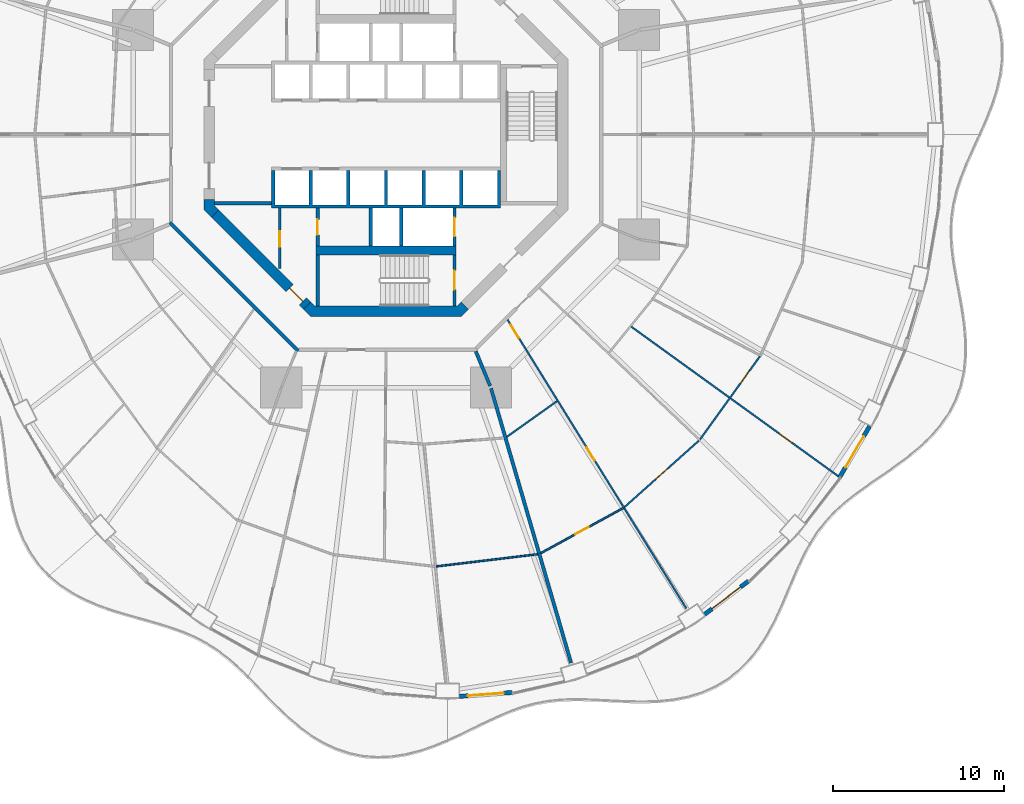
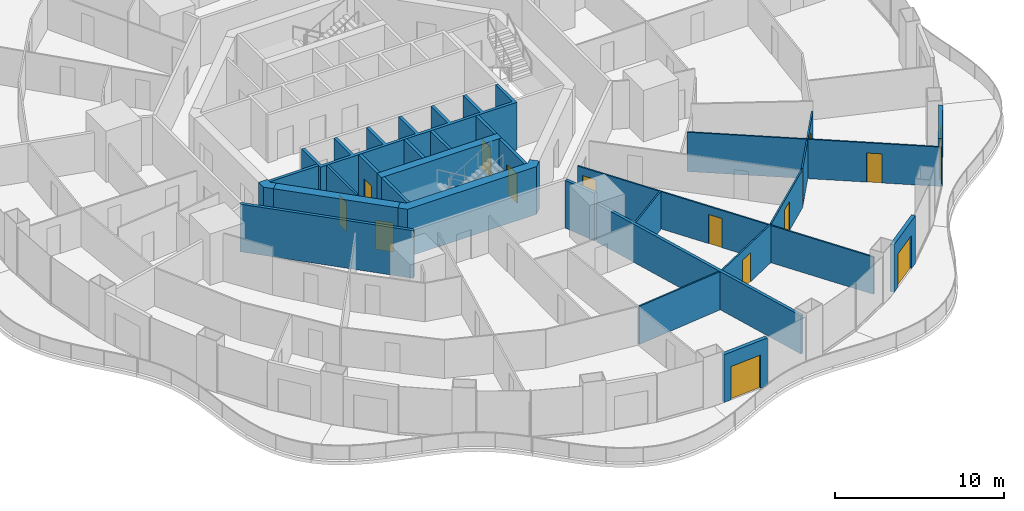
# One storey, part 15 of 22: 26 walls, 14 doors, 14 openings.
"""IFC4 building model written with IfcOpenShell, lengths in metres."""

from ifc_helpers import new_model, si_unit, direction, frame, frame_2d, origin, place, context, subcontext, project, spatial, polyline, rectangle, outline, extrude, material, layer, layer_set, type_object, element, fill, save


model = new_model("IFC4")

# Units and contexts
model_context = context("Model", 3, precision=1e-05, world=origin(), true_north=direction((0.0, 1.0)))
body_context = subcontext(model_context, "Body", "Model", "MODEL_VIEW")
ifc_project = project(units=[si_unit("LENGTHUNIT", "METRE"), si_unit("AREAUNIT", "SQUARE_METRE"), si_unit("VOLUMEUNIT", "CUBIC_METRE"), si_unit("PLANEANGLEUNIT", "RADIAN"), si_unit("MASSUNIT", "GRAM", prefix="KILO")], contexts=[model_context])

# Site, building, storey
site_placement = place(None, origin())
site = spatial("IfcSite", under=ifc_project, at=site_placement, CompositionType="ELEMENT")
building_placement = place(site_placement, origin())
building = spatial("IfcBuilding", under=site, at=building_placement, Name="Nagisa Residences", CompositionType="ELEMENT")
storey_placement = place(building_placement, frame((0.0, 0.0, 49.199951171875)))
storey = spatial("IfcBuildingStorey", under=building, at=storey_placement, Name="L11", CompositionType="ELEMENT", Elevation=49.199951171875)

# Walls
ifc_material_1 = material(Name="Gypsum board on steel studs", Category="steel")
ifc_layer_1 = layer(ifc_material_1, 0.199951171875)
ifc_layer_set_1 = layer_set([ifc_layer_1], Name="Apartment compartment wall EI60 200")
wall_type_1 = type_object("IfcWallType", Name="Apartment compartment wall EI60 200", PredefinedType="PARTITIONING", material=ifc_layer_set_1)
wall_1_placement = place(storey_placement, frame((5.24267578125, -12.6572265625, 0.0), z_axis=(0.0, 0.0, 1.0), x_axis=(0.382707856524, -0.923869415315, 0.0)))
element("IfcWall", 1, at=wall_1_placement, inside=storey, type_object=wall_type_1, Name="wall:L11:u08", PredefinedType="PARTITIONING", context=body_context, shape_type="SweptSolid", body=[
    extrude(rectangle(XDim=2.2001953125, YDim=0.199951171875, at=frame_2d((1.10009765625, 0.0))), origin(), (0.0, 0.0, 1.0), 3.43994140625),
])
wall_2_placement = place(storey_placement, frame((6.136962890625, -14.830078125, 0.0), z_axis=(0.0, 0.0, 1.0), x_axis=(0.27985745069, -0.960041565399, 0.0)))
element("IfcWall", 2, at=wall_2_placement, inside=storey, type_object=wall_type_1, Name="wall:L11:u09", PredefinedType="PARTITIONING", context=body_context, shape_type="SweptSolid", body=[
    extrude(rectangle(XDim=16.705078125, YDim=0.199951171875, at=frame_2d((8.3525390625, 0.0))), origin(), (0.0, 0.0, 1.0), 2.756103515625),
])
ifc_material_2 = material(Name="Gypsum board on steel studs", Category="steel")
ifc_layer_2 = layer(ifc_material_2, 0.199951171875)
ifc_layer_set_2 = layer_set([ifc_layer_2], Name="Apartment entry wall EI60 200")
wall_type_2 = type_object("IfcWallType", Name="Apartment entry wall EI60 200", PredefinedType="PARTITIONING", material=ifc_layer_set_2)
wall_3_placement = place(storey_placement, frame((-12.635498046875, -5.1337890625, 0.0), z_axis=(0.0, 0.0, 1.0), x_axis=(0.707106781187, -0.707106781187, 0.0)))
element("IfcWall", 3, at=wall_3_placement, inside=storey, type_object=wall_type_2, Name="wall:L11:u15", PredefinedType="PARTITIONING", context=body_context, shape_type="SweptSolid", body=[
    extrude(rectangle(XDim=10.609130859375, YDim=0.199951171875, at=frame_2d((5.3046875, 0.0))), origin(), (0.0, 0.0, 1.0), 3.43994140625),
])
ifc_material_3 = material(Name="Gypsum board on steel studs", Category="steel")
ifc_layer_3 = layer(ifc_material_3, 0.10009765625)
ifc_layer_set_3 = layer_set([ifc_layer_3], Name="Apartment partition 100")
wall_type_3 = type_object("IfcWallType", Name="Apartment partition 100", PredefinedType="PARTITIONING", material=ifc_layer_set_3)
wall_4_placement = place(storey_placement, frame((2.94091796875, -25.228515625, 0.0), z_axis=(0.0, 0.0, 1.0), x_axis=(0.992834127896, 0.119500604542, 0.0)))
element("IfcWall", 4, at=wall_4_placement, inside=storey, type_object=wall_type_3, Name="wall:L11:u78", PredefinedType="PARTITIONING", context=body_context, shape_type="SweptSolid", body=[
    extrude(rectangle(XDim=5.95947265625, YDim=0.10009765625, at=frame_2d((2.979736328125, 0.0))), origin(), (0.0, 0.0, 1.0), 2.756103515625),
])
wall_5_placement = place(storey_placement, frame((7.0595703125, -17.657470703125, 0.0), z_axis=(0.0, 0.0, 1.0), x_axis=(0.81492039338, 0.57957290521, 0.0)))
element("IfcWall", 5, at=wall_5_placement, inside=storey, type_object=wall_type_3, Name="wall:L11:u79", PredefinedType="PARTITIONING", context=body_context, shape_type="SweptSolid", body=[
    extrude(rectangle(XDim=3.594482421875, YDim=0.10009765625, at=frame_2d((1.79736328125, 0.0))), origin(), (0.0, 0.0, 1.0), 2.756103515625),
])

# Wall, opening, door
wall_6_placement = place(storey_placement, frame((9.044677734375, -24.456298828125, 0.0), z_axis=(0.0, 0.0, 1.0), x_axis=(0.876809987787, 0.480837025734, 0.0)))
wall_6 = element("IfcWall", 6, at=wall_6_placement, inside=storey, type_object=wall_type_3, Name="wall:L11:u80", PredefinedType="PARTITIONING", context=body_context, shape_type="SweptSolid", body=[
    extrude(rectangle(XDim=5.486083984375, YDim=0.10009765625, at=frame_2d((2.7431640625, 0.0))), origin(), (0.0, 0.0, 1.0), 2.756103515625),
])
opening_1_placement = place(wall_6_placement, frame((2.293212890625, 0.0, 0.0)))
opening_1 = element("IfcOpeningElement", 7, at=opening_1_placement, cuts=wall_6, Name="Opening L11-U37", PredefinedType="OPENING", context=body_context, shape_type="SweptSolid", body=[
    extrude(rectangle(XDim=0.89990234375, YDim=2.10009765625, at=frame_2d((0.449951171875, 1.050048828125))), frame((0.0, 0.06005859375, 0.0), z_axis=(0.0, -1.0, 0.0), x_axis=(1.0, 0.0, 0.0)), (0.0, 0.0, 1.0), 0.1201171875),
])
ifc_material_4 = material(Name="Timber door set", Category="wood")
door_type_1 = type_object("IfcDoorType", Name="Apartment door 900x2100", OperationType="NOTDEFINED", PredefinedType="DOOR", material=ifc_material_4)
door_1_placement = place(opening_1_placement, frame((0.89990234375, 0.0, 0.0), x_axis=(-1.0, 0.0, 0.0)))
door_1 = element("IfcDoor", 8, at=door_1_placement, inside=storey, type_object=door_type_1, Name="Door to master bedroom, Apartment 11D", OperationType="SINGLE_SWING_RIGHT", OverallHeight=2.10009765625, OverallWidth=0.89990234375, PredefinedType="DOOR", context=body_context, shape_type="SweptSolid", body=[
    extrude(rectangle(XDim=0.89990234375, YDim=2.10009765625, at=frame_2d((0.449951171875, 1.050048828125))), frame((0.0, 0.02490234375, 0.0), z_axis=(0.0, -1.0, 0.0), x_axis=(1.0, 0.0, 0.0)), (0.0, 0.0, 1.0), 0.050048828125),
])
fill(opening_1, door_1)

# Wall, openings, doors
wall_7_placement = place(storey_placement, frame((7.09716796875, -10.809814453125, 0.0), z_axis=(0.0, 0.0, 1.0), x_axis=(0.526453266471, -0.850204068576, 0.0)))
wall_7 = element("IfcWall", 9, at=wall_7_placement, inside=storey, type_object=wall_type_3, Name="wall:L11:u81", PredefinedType="PARTITIONING", context=body_context, shape_type="SweptSolid", body=[
    extrude(rectangle(XDim=19.85009765625, YDim=0.10009765625, at=frame_2d((9.925048828125, 0.0))), origin(), (0.0, 0.0, 1.0), 2.68701171875),
])
opening_2_placement = place(wall_7_placement, frame((0.35009765625, 0.0, 0.0)))
opening_2 = element("IfcOpeningElement", 10, at=opening_2_placement, cuts=wall_7, Name="Opening L11-U29", PredefinedType="OPENING", context=body_context, shape_type="SweptSolid", body=[
    extrude(rectangle(XDim=0.89990234375, YDim=2.10009765625, at=frame_2d((0.449951171875, 1.050048828125))), frame((0.0, 0.06005859375, 0.0), z_axis=(0.0, -1.0, 0.0), x_axis=(1.0, 0.0, 0.0)), (0.0, 0.0, 1.0), 0.1201171875),
])
opening_3_placement = place(wall_7_placement, frame((8.794921875, 0.0, 0.0)))
opening_3 = element("IfcOpeningElement", 11, at=opening_3_placement, cuts=wall_7, Name="Opening L11-U33", PredefinedType="OPENING", context=body_context, shape_type="SweptSolid", body=[
    extrude(rectangle(XDim=0.89990234375, YDim=2.10009765625, at=frame_2d((0.449951171875, 1.050048828125))), frame((0.0, 0.06005859375, 0.0), z_axis=(0.0, -1.0, 0.0), x_axis=(1.0, 0.0, 0.0)), (0.0, 0.0, 1.0), 0.1201171875),
])
door_2_placement = place(opening_2_placement, frame((0.89990234375, 0.0, 0.0), x_axis=(-1.0, 0.0, 0.0)))
door_2 = element("IfcDoor", 12, at=door_2_placement, inside=storey, type_object=door_type_1, Name="Door to laundry, Apartment 11D", OperationType="SINGLE_SWING_RIGHT", OverallHeight=2.10009765625, OverallWidth=0.89990234375, PredefinedType="DOOR", context=body_context, shape_type="SweptSolid", body=[
    extrude(rectangle(XDim=0.89990234375, YDim=2.10009765625, at=frame_2d((0.449951171875, 1.050048828125))), frame((0.0, 0.02490234375, 0.0), z_axis=(0.0, -1.0, 0.0), x_axis=(1.0, 0.0, 0.0)), (0.0, 0.0, 1.0), 0.050048828125),
])
fill(opening_2, door_2)
door_3_placement = place(opening_3_placement, frame((0.89990234375, 0.0, 0.0), x_axis=(-1.0, 0.0, 0.0)))
door_3 = element("IfcDoor", 13, at=door_3_placement, inside=storey, type_object=door_type_1, Name="Door to kitchen, Apartment 11D", OperationType="SINGLE_SWING_RIGHT", OverallHeight=2.10009765625, OverallWidth=0.89990234375, PredefinedType="DOOR", context=body_context, shape_type="SweptSolid", body=[
    extrude(rectangle(XDim=0.89990234375, YDim=2.10009765625, at=frame_2d((0.449951171875, 1.050048828125))), frame((0.0, 0.02490234375, 0.0), z_axis=(0.0, -1.0, 0.0), x_axis=(1.0, 0.0, 0.0)), (0.0, 0.0, 1.0), 0.050048828125),
])
fill(opening_3, door_3)

# Wall, opening, door
wall_8_placement = place(storey_placement, frame((13.936279296875, -21.760986328125, 0.0), z_axis=(0.0, 0.0, 1.0), x_axis=(0.745806142791, 0.666163041136, 0.0)))
wall_8 = element("IfcWall", 14, at=wall_8_placement, inside=storey, type_object=wall_type_3, Name="wall:L11:u82", PredefinedType="PARTITIONING", context=body_context, shape_type="SweptSolid", body=[
    extrude(rectangle(XDim=5.83056640625, YDim=0.10009765625, at=frame_2d((2.915283203125, 0.0))), origin(), (0.0, 0.0, 1.0), 2.756103515625),
])
opening_4_placement = place(wall_8_placement, frame((2.46533203125, 0.0, 0.0)))
opening_4 = element("IfcOpeningElement", 15, at=opening_4_placement, cuts=wall_8, Name="Opening L11-U38", PredefinedType="OPENING", context=body_context, shape_type="SweptSolid", body=[
    extrude(rectangle(XDim=0.89990234375, YDim=2.10009765625, at=frame_2d((0.449951171875, 1.050048828125))), frame((0.0, 0.06005859375, 0.0), z_axis=(0.0, -1.0, 0.0), x_axis=(1.0, 0.0, 0.0)), (0.0, 0.0, 1.0), 0.1201171875),
])
door_4_placement = place(opening_4_placement, frame((0.89990234375, 0.0, 0.0), x_axis=(-1.0, 0.0, 0.0)))
door_4 = element("IfcDoor", 16, at=door_4_placement, inside=storey, type_object=door_type_1, Name="Door to living room, Apartment 11D", OperationType="SINGLE_SWING_LEFT", OverallHeight=2.10009765625, OverallWidth=0.89990234375, PredefinedType="DOOR", context=body_context, shape_type="SweptSolid", body=[
    extrude(rectangle(XDim=0.89990234375, YDim=2.10009765625, at=frame_2d((0.449951171875, 1.050048828125))), frame((0.0, 0.02490234375, 0.0), z_axis=(0.0, -1.0, 0.0), x_axis=(1.0, 0.0, 0.0)), (0.0, 0.0, 1.0), 0.050048828125),
])
fill(opening_4, door_4)

wall_9_placement = place(storey_placement, frame((18.35107421875, -17.802978515625, 0.0), z_axis=(0.0, 0.0, 1.0), x_axis=(0.584563700282, 0.811347817099, 0.0)))
wall_9 = element("IfcWall", 17, at=wall_9_placement, inside=storey, type_object=wall_type_3, Name="wall:L11:u85", PredefinedType="PARTITIONING", context=body_context, shape_type="SweptSolid", body=[
    extrude(rectangle(XDim=5.984375, YDim=0.10009765625, at=frame_2d((2.9921875, 0.0))), origin(), (0.0, 0.0, 1.0), 2.756103515625),
])
opening_5_placement = place(wall_9_placement, frame((4.038330078125, 0.0, 0.0)))
opening_5 = element("IfcOpeningElement", 18, at=opening_5_placement, cuts=wall_9, Name="Opening L11-U42", PredefinedType="OPENING", context=body_context, shape_type="SweptSolid", body=[
    extrude(rectangle(XDim=0.89990234375, YDim=2.10009765625, at=frame_2d((0.449951171875, 1.050048828125))), frame((0.0, 0.06005859375, 0.0), z_axis=(0.0, -1.0, 0.0), x_axis=(1.0, 0.0, 0.0)), (0.0, 0.0, 1.0), 0.1201171875),
])
door_5_placement = place(opening_5_placement, origin())
door_5 = element("IfcDoor", 19, at=door_5_placement, inside=storey, type_object=door_type_1, Name="Door to en-suite bathroom, Apartment 11D", OperationType="SINGLE_SWING_RIGHT", OverallHeight=2.10009765625, OverallWidth=0.89990234375, PredefinedType="DOOR", context=body_context, shape_type="SweptSolid", body=[
    extrude(rectangle(XDim=0.89990234375, YDim=2.10009765625, at=frame_2d((0.449951171875, 1.050048828125))), frame((0.0, 0.02490234375, 0.0), z_axis=(0.0, -1.0, 0.0), x_axis=(1.0, 0.0, 0.0)), (0.0, 0.0, 1.0), 0.050048828125),
])
fill(opening_5, door_5)

wall_10_placement = place(storey_placement, frame((14.328857421875, -11.22119140625, 0.0), z_axis=(0.0, 0.0, 1.0), x_axis=(0.810671130917, -0.58550176558, 0.0)))
wall_10 = element("IfcWall", 20, at=wall_10_placement, inside=storey, type_object=wall_type_3, Name="wall:L11:u86", PredefinedType="PARTITIONING", context=body_context, shape_type="SweptSolid", body=[
    extrude(rectangle(XDim=15.105712890625, YDim=0.10009765625, at=frame_2d((7.552734375, 0.0))), origin(), (0.0, 0.0, 1.0), 2.837158203125),
])
opening_6_placement = place(wall_10_placement, frame((10.65869140625, 0.0, 0.0)))
opening_6 = element("IfcOpeningElement", 21, at=opening_6_placement, cuts=wall_10, Name="Opening L11-U39", PredefinedType="OPENING", context=body_context, shape_type="SweptSolid", body=[
    extrude(rectangle(XDim=0.89990234375, YDim=2.10009765625, at=frame_2d((0.449951171875, 1.050048828125))), frame((0.0, 0.06005859375, 0.0), z_axis=(0.0, -1.0, 0.0), x_axis=(1.0, 0.0, 0.0)), (0.0, 0.0, 1.0), 0.1201171875),
])
door_6_placement = place(opening_6_placement, origin())
door_6 = element("IfcDoor", 22, at=door_6_placement, inside=storey, type_object=door_type_1, Name="Door to master bedroom, Apartment 11D", OperationType="SINGLE_SWING_LEFT", OverallHeight=2.10009765625, OverallWidth=0.89990234375, PredefinedType="DOOR", context=body_context, shape_type="SweptSolid", body=[
    extrude(rectangle(XDim=0.89990234375, YDim=2.10009765625, at=frame_2d((0.449951171875, 1.050048828125))), frame((0.0, 0.02490234375, 0.0), z_axis=(0.0, -1.0, 0.0), x_axis=(1.0, 0.0, 0.0)), (0.0, 0.0, 1.0), 0.050048828125),
])
fill(opening_6, door_6)

ifc_material_5 = material(Name="Precast concrete C40/50", Category="concrete")
ifc_layer_4 = layer(ifc_material_5, 0.25)
ifc_layer_set_4 = layer_set([ifc_layer_4], Name="BALCONY DOOR WALL 250")
wall_type_4 = type_object("IfcWallType", Name="BALCONY DOOR WALL 250", PredefinedType="SOLIDWALL", material=ifc_layer_set_4)
wall_11_placement = place(storey_placement, frame((7.3759765625, -32.593017578125, 0.0), z_axis=(0.0, 0.0, 1.0), x_axis=(-0.997230834878, -0.074368420505, 0.0)))
wall_11 = element("IfcWall", 23, at=wall_11_placement, inside=storey, type_object=wall_type_4, Name="wall:L11:bay36", PredefinedType="SOLIDWALL", context=body_context, shape_type="SweptSolid", body=[
    extrude(rectangle(XDim=3.095703125, YDim=0.25, at=frame_2d((1.5478515625, 0.0))), origin(), (0.0, 0.0, 1.0), 3.43994140625),
])
opening_7_placement = place(wall_11_placement, frame((0.497802734375, 0.0, 0.0)))
opening_7 = element("IfcOpeningElement", 24, at=opening_7_placement, cuts=wall_11, Name="Opening BD-L11-13", PredefinedType="OPENING", context=body_context, shape_type="SweptSolid", body=[
    extrude(rectangle(XDim=2.10009765625, YDim=2.39990234375, at=frame_2d((1.050048828125, 1.199951171875))), frame((0.0, 0.135009765625, 0.0), z_axis=(0.0, -1.0, 0.0), x_axis=(1.0, 0.0, 0.0)), (0.0, 0.0, 1.0), 0.27001953125),
])
ifc_material_6 = material(Name="Aluminium and clear glass", Category="aluminium")
door_type_2 = type_object("IfcDoorType", Name="BALCONY SLIDING DOOR 2100x2400", OperationType="SLIDING_TO_LEFT", PredefinedType="DOOR", material=ifc_material_6)
door_7_placement = place(opening_7_placement, origin())
door_7 = element("IfcDoor", 25, at=door_7_placement, inside=storey, type_object=door_type_2, Name="door:L11:bay36", OperationType="SLIDING_TO_LEFT", OverallHeight=2.39990234375, OverallWidth=2.10009765625, PredefinedType="DOOR", context=body_context, shape_type="SweptSolid", body=[
    extrude(rectangle(XDim=2.10009765625, YDim=2.39990234375, at=frame_2d((1.050048828125, 1.199951171875))), frame((0.0, 0.02490234375, 0.0), z_axis=(0.0, -1.0, 0.0), x_axis=(1.0, 0.0, 0.0)), (0.0, 0.0, 1.0), 0.050048828125),
])
fill(opening_7, door_7)

wall_12_placement = place(storey_placement, frame((21.178466796875, -26.0810546875, 0.0), z_axis=(0.0, 0.0, 1.0), x_axis=(-0.796022293214, -0.605267303517, 0.0)))
wall_12 = element("IfcWall", 26, at=wall_12_placement, inside=storey, type_object=wall_type_4, Name="wall:L11:bay40", PredefinedType="SOLIDWALL", context=body_context, shape_type="SweptSolid", body=[
    extrude(rectangle(XDim=3.262451171875, YDim=0.25, at=frame_2d((1.63134765625, 0.0))), origin(), (0.0, 0.0, 1.0), 3.43994140625),
])
opening_8_placement = place(wall_12_placement, frame((0.5810546875, 0.0, 0.0)))
opening_8 = element("IfcOpeningElement", 27, at=opening_8_placement, cuts=wall_12, Name="Opening BD-L11-14", PredefinedType="OPENING", context=body_context, shape_type="SweptSolid", body=[
    extrude(rectangle(XDim=2.10009765625, YDim=2.39990234375, at=frame_2d((1.050048828125, 1.199951171875))), frame((0.0, 0.135009765625, 0.0), z_axis=(0.0, -1.0, 0.0), x_axis=(1.0, 0.0, 0.0)), (0.0, 0.0, 1.0), 0.27001953125),
])
door_8_placement = place(opening_8_placement, origin())
door_8 = element("IfcDoor", 28, at=door_8_placement, inside=storey, type_object=door_type_2, Name="door:L11:bay40", OperationType="SLIDING_TO_LEFT", OverallHeight=2.39990234375, OverallWidth=2.10009765625, PredefinedType="DOOR", context=body_context, shape_type="SweptSolid", body=[
    extrude(rectangle(XDim=2.10009765625, YDim=2.39990234375, at=frame_2d((1.050048828125, 1.199951171875))), frame((0.0, 0.02490234375, 0.0), z_axis=(0.0, -1.0, 0.0), x_axis=(1.0, 0.0, 0.0)), (0.0, 0.0, 1.0), 0.050048828125),
])
fill(opening_8, door_8)

wall_13_placement = place(storey_placement, frame((28.25244140625, -17.040283203125, 0.0), z_axis=(0.0, 0.0, 1.0), x_axis=(-0.506311160839, -0.862350861546, 0.0)))
wall_13 = element("IfcWall", 29, at=wall_13_placement, inside=storey, type_object=wall_type_4, Name="wall:L11:bay43", PredefinedType="SOLIDWALL", context=body_context, shape_type="SweptSolid", body=[
    extrude(rectangle(XDim=3.462158203125, YDim=0.25, at=frame_2d((1.73095703125, 0.0))), origin(), (0.0, 0.0, 1.0), 3.43994140625),
])
opening_9_placement = place(wall_13_placement, frame((0.68115234375, 0.0, 0.0)))
opening_9 = element("IfcOpeningElement", 30, at=opening_9_placement, cuts=wall_13, Name="Opening BD-L11-15", PredefinedType="OPENING", context=body_context, shape_type="SweptSolid", body=[
    extrude(rectangle(XDim=2.10009765625, YDim=2.39990234375, at=frame_2d((1.050048828125, 1.199951171875))), frame((0.0, 0.135009765625, 0.0), z_axis=(0.0, -1.0, 0.0), x_axis=(1.0, 0.0, 0.0)), (0.0, 0.0, 1.0), 0.27001953125),
])
door_9_placement = place(opening_9_placement, origin())
door_9 = element("IfcDoor", 31, at=door_9_placement, inside=storey, type_object=door_type_2, Name="door:L11:bay43", OperationType="SLIDING_TO_LEFT", OverallHeight=2.39990234375, OverallWidth=2.10009765625, PredefinedType="DOOR", context=body_context, shape_type="SweptSolid", body=[
    extrude(rectangle(XDim=2.10009765625, YDim=2.39990234375, at=frame_2d((1.050048828125, 1.199951171875))), frame((0.0, 0.02490234375, 0.0), z_axis=(0.0, -1.0, 0.0), x_axis=(1.0, 0.0, 0.0)), (0.0, 0.0, 1.0), 0.050048828125),
])
fill(opening_9, door_9)

ifc_material_7 = material(Name="Gypsum board on steel studs", Category="steel")
ifc_layer_5 = layer(ifc_material_7, 0.14990234375)
ifc_layer_set_5 = layer_set([ifc_layer_5], Name="Core partition 150")
wall_type_5 = type_object("IfcWallType", Name="Core partition 150", PredefinedType="PARTITIONING", material=ifc_layer_set_5)
wall_14_placement = place(storey_placement, frame((-6.199951171875, -7.826904296875, 0.0), z_axis=(0.0, 0.0, 1.0), x_axis=(0.0, 1.0, 0.0)))
wall_14 = element("IfcWall", 32, at=wall_14_placement, inside=storey, type_object=wall_type_5, Name="wall:L11:SWp", PredefinedType="PARTITIONING", context=body_context, shape_type="SweptSolid", body=[
    extrude(rectangle(XDim=3.52685546875, YDim=0.14990234375, at=frame_2d((1.763427734375, 0.0))), origin(), (0.0, 0.0, 1.0), 3.43994140625),
])
opening_10_placement = place(wall_14_placement, frame((1.27587890625, 0.0, 0.0)))
opening_10 = element("IfcOpeningElement", 33, at=opening_10_placement, cuts=wall_14, Name="Opening L11-C13", PredefinedType="OPENING", context=body_context, shape_type="SweptSolid", body=[
    extrude(rectangle(XDim=0.89990234375, YDim=2.10009765625, at=frame_2d((0.449951171875, 1.050048828125))), frame((0.0, 0.0849609375, 0.0), z_axis=(0.0, -1.0, 0.0), x_axis=(1.0, 0.0, 0.0)), (0.0, 0.0, 1.0), 0.169921875),
])
ifc_material_8 = material(Name="Steel fire door", Category="steel")
door_type_3 = type_object("IfcDoorType", Name="Fire door EI30 900x2100 single swing", OperationType="NOTDEFINED", PredefinedType="DOOR", material=ifc_material_8)
door_10_placement = place(opening_10_placement, origin())
door_10 = element("IfcDoor", 34, at=door_10_placement, inside=storey, type_object=door_type_3, Name="Janitor door L11", OperationType="SINGLE_SWING_LEFT", OverallHeight=2.10009765625, OverallWidth=0.89990234375, PredefinedType="DOOR", context=body_context, shape_type="SweptSolid", body=[
    extrude(rectangle(XDim=0.89990234375, YDim=2.10009765625, at=frame_2d((0.449951171875, 1.050048828125))), frame((0.0, 0.02490234375, 0.0), z_axis=(0.0, -1.0, 0.0), x_axis=(1.0, 0.0, 0.0)), (0.0, 0.0, 1.0), 0.050048828125),
])
fill(opening_10, door_10)

# Wall
ifc_material_9 = material(Name="Gypsum board on steel studs", Category="steel")
ifc_layer_6 = layer(ifc_material_9, 0.199951171875)
ifc_layer_set_6 = layer_set([ifc_layer_6], Name="Core partition 200")
wall_type_6 = type_object("IfcWallType", Name="Core partition 200", PredefinedType="PARTITIONING", material=ifc_layer_set_6)
wall_15_placement = place(storey_placement, frame((-10.024658203125, -4.0, 0.0), z_axis=(0.0, 0.0, 1.0), x_axis=(1.0, 0.0, 0.0)))
element("IfcWall", 35, at=wall_15_placement, inside=storey, type_object=wall_type_6, Name="wall:L11:PSW", PredefinedType="PARTITIONING", context=body_context, shape_type="SweptSolid", body=[
    extrude(rectangle(XDim=3.32470703125, YDim=0.199951171875, at=frame_2d((1.662353515625, 0.0))), origin(), (0.0, 0.0, 1.0), 3.43994140625),
])

# Wall, opening, door
ifc_material_10 = material(Name="Concrete C60", Category="concrete")
ifc_layer_7 = layer(ifc_material_10, 0.60009765625)
ifc_layer_set_7 = layer_set([ifc_layer_7], Name="Core shear wall 600")
wall_type_7 = type_object("IfcWallType", Name="Core shear wall 600", PredefinedType="SHEAR", material=ifc_layer_set_7)
wall_16_placement = place(storey_placement, frame((-9.98828125, -4.613037109375, 0.0), z_axis=(0.0, 0.0, 1.0), x_axis=(0.707106781187, -0.707106781187, 0.0)))
wall_16 = element("IfcWall", 36, at=wall_16_placement, inside=storey, type_object=wall_type_7, Name="wall:L11:core:flat5", PredefinedType="SHEAR", context=body_context, shape_type="SweptSolid", body=[
    extrude(rectangle(XDim=7.601806640625, YDim=0.60009765625, at=frame_2d((3.80078125, 0.0))), origin(), (0.0, 0.0, 1.0), 3.43994140625),
])
opening_11_placement = place(wall_16_placement, frame((6.15087890625, 0.0, 0.0)))
opening_11 = element("IfcOpeningElement", 37, at=opening_11_placement, cuts=wall_16, Name="Opening L11-C20", PredefinedType="OPENING", context=body_context, shape_type="SweptSolid", body=[
    extrude(rectangle(XDim=1.10009765625, YDim=2.10009765625, at=frame_2d((0.550048828125, 1.050048828125))), frame((0.0, 0.31005859375, 0.0), z_axis=(0.0, -1.0, 0.0), x_axis=(1.0, 0.0, 0.0)), (0.0, 0.0, 1.0), 0.6201171875),
])
ifc_material_11 = material(Name="Steel fire door", Category="steel")
door_type_4 = type_object("IfcDoorType", Name="Fire door EI60 1100x2100 single swing", OperationType="NOTDEFINED", PredefinedType="DOOR", material=ifc_material_11)
door_11_placement = place(opening_11_placement, origin())
door_11 = element("IfcDoor", 38, at=door_11_placement, inside=storey, type_object=door_type_4, Name="Housekeeping lobby door L11", OperationType="SINGLE_SWING_RIGHT", OverallHeight=2.10009765625, OverallWidth=1.10009765625, PredefinedType="DOOR", context=body_context, shape_type="SweptSolid", body=[
    extrude(rectangle(XDim=1.10009765625, YDim=2.10009765625, at=frame_2d((0.550048828125, 1.050048828125))), frame((0.0, 0.02490234375, 0.0), z_axis=(0.0, -1.0, 0.0), x_axis=(1.0, 0.0, 0.0)), (0.0, 0.0, 1.0), 0.050048828125),
])
fill(opening_11, door_11)

# Walls
wall_17_placement = place(storey_placement, origin())
element("IfcWall", 39, at=wall_17_placement, inside=storey, type_object=wall_type_7, Name="wall:L11:core:pier4", PredefinedType="SHEAR", context=body_context, shape_type="SweptSolid", body=[
    extrude(outline(polyline([(-10.62451171875, -3.80078125), (-10.024658203125, -3.80078125), (-10.024658203125, -4.15234375), (-9.776123046875, -4.40087890625), (-10.200439453125, -4.8251953125), (-10.62451171875, -4.40087890625), (-10.62451171875, -3.80078125)])), origin(), (0.0, 0.0, 1.0), 3.43994140625),
])
wall_18_placement = place(storey_placement, origin())
element("IfcWall", 40, at=wall_18_placement, inside=storey, type_object=wall_type_7, Name="wall:L11:core:flat6", PredefinedType="SHEAR", context=body_context, shape_type="SweptSolid", body=[
    extrude(outline(polyline([(-4.15234375, -10.024658203125), (4.15234375, -10.024658203125), (4.40087890625, -9.776123046875), (4.8251953125, -10.200439453125), (4.40087890625, -10.62451171875), (-4.40087890625, -10.62451171875), (-4.8251953125, -10.200439453125), (-4.40087890625, -9.776123046875), (-4.15234375, -10.024658203125)])), origin(), (0.0, 0.0, 1.0), 3.43994140625),
])

# Wall, opening, door
ifc_material_12 = material(Name="Concrete C60", Category="concrete")
ifc_layer_8 = layer(ifc_material_12, 0.199951171875)
ifc_layer_set_8 = layer_set([ifc_layer_8], Name="Lift shaft wall 200")
wall_type_8 = type_object("IfcWallType", Name="Lift shaft wall 200", PredefinedType="SOLIDWALL", material=ifc_layer_set_8)
wall_19_placement = place(storey_placement, frame((4.0, -6.5, 0.0), z_axis=(0.0, 0.0, 1.0), x_axis=(0.0, 1.0, 0.0)))
wall_19 = element("IfcWall", 41, at=wall_19_placement, inside=storey, type_object=wall_type_8, Name="wall:L11:Sb3", PredefinedType="SOLIDWALL", context=body_context, shape_type="SweptSolid", body=[
    extrude(rectangle(XDim=2.199951171875, YDim=0.199951171875, at=frame_2d((1.10009765625, 0.0))), origin(), (0.0, 0.0, 1.0), 3.43994140625),
])
opening_12_placement = place(wall_19_placement, frame((0.550048828125, 0.0, 0.0)))
opening_12 = element("IfcOpeningElement", 42, at=opening_12_placement, cuts=wall_19, Name="Opening L11-C07", PredefinedType="OPENING", context=body_context, shape_type="SweptSolid", body=[
    extrude(rectangle(XDim=1.10009765625, YDim=2.10009765625, at=frame_2d((0.550048828125, 1.050048828125))), frame((0.0, 0.10986328125, 0.0), z_axis=(0.0, -1.0, 0.0), x_axis=(1.0, 0.0, 0.0)), (0.0, 0.0, 1.0), 0.219970703125),
])
ifc_material_13 = material(Name="Stainless steel", Category="steel")
door_type_5 = type_object("IfcDoorType", Name="Lift landing door 1100x2100", OperationType="DOUBLE_DOOR_SLIDING", PredefinedType="DOOR", material=ifc_material_13)
door_12_placement = place(opening_12_placement, origin())
door_12 = element("IfcDoor", 43, at=door_12_placement, inside=storey, type_object=door_type_5, Name="Landing door FL2 L11", OperationType="DOUBLE_DOOR_SLIDING", OverallHeight=2.10009765625, OverallWidth=1.10009765625, PredefinedType="DOOR", context=body_context, shape_type="SweptSolid", body=[
    extrude(rectangle(XDim=1.10009765625, YDim=2.10009765625, at=frame_2d((0.550048828125, 1.050048828125))), frame((0.0, 0.02490234375, 0.0), z_axis=(0.0, -1.0, 0.0), x_axis=(1.0, 0.0, 0.0)), (0.0, 0.0, 1.0), 0.050048828125),
])
fill(opening_12, door_12)

wall_20_placement = place(storey_placement, frame((-4.0, -6.5, 0.0), z_axis=(0.0, 0.0, 1.0), x_axis=(0.0, 1.0, 0.0)))
wall_20 = element("IfcWall", 44, at=wall_20_placement, inside=storey, type_object=wall_type_8, Name="wall:L11:Sb4", PredefinedType="SOLIDWALL", context=body_context, shape_type="SweptSolid", body=[
    extrude(rectangle(XDim=2.199951171875, YDim=0.199951171875, at=frame_2d((1.10009765625, 0.0))), origin(), (0.0, 0.0, 1.0), 3.43994140625),
])
opening_13_placement = place(wall_20_placement, frame((0.64990234375, 0.0, 0.0)))
opening_13 = element("IfcOpeningElement", 45, at=opening_13_placement, cuts=wall_20, Name="Opening L11-C14", PredefinedType="OPENING", context=body_context, shape_type="SweptSolid", body=[
    extrude(rectangle(XDim=0.89990234375, YDim=2.10009765625, at=frame_2d((0.449951171875, 1.050048828125))), frame((0.0, 0.10986328125, 0.0), z_axis=(0.0, -1.0, 0.0), x_axis=(1.0, 0.0, 0.0)), (0.0, 0.0, 1.0), 0.219970703125),
])
door_13_placement = place(opening_13_placement, frame((0.89990234375, 0.0, 0.0), x_axis=(-1.0, 0.0, 0.0)))
door_13 = element("IfcDoor", 46, at=door_13_placement, inside=storey, type_object=door_type_3, Name="Refuse room door L11", OperationType="SINGLE_SWING_LEFT", OverallHeight=2.10009765625, OverallWidth=0.89990234375, PredefinedType="DOOR", context=body_context, shape_type="SweptSolid", body=[
    extrude(rectangle(XDim=0.89990234375, YDim=2.10009765625, at=frame_2d((0.449951171875, 1.050048828125))), frame((0.0, 0.02490234375, 0.0), z_axis=(0.0, -1.0, 0.0), x_axis=(1.0, 0.0, 0.0)), (0.0, 0.0, 1.0), 0.050048828125),
])
fill(opening_13, door_13)

# Walls
for number, where, z_axis, x_axis, name in (
    (47, (-0.89990234375, -6.5, 0.0), (0.0, 0.0, 1.0), (0.0, 1.0, 0.0), "wall:L11:Sb1"),
    (48, (0.89990234375, -6.5, 0.0), (0.0, 0.0, 1.0), (0.0, 1.0, 0.0), "wall:L11:Sb2"),
):
    element("IfcWall", number, at=place(storey_placement, frame(where, z_axis=z_axis, x_axis=x_axis)), inside=storey, type_object=wall_type_8, Name=name, PredefinedType="SOLIDWALL", context=body_context, shape_type="SweptSolid", body=[
        extrude(rectangle(XDim=2.199951171875, YDim=0.199951171875, at=frame_2d((1.10009765625, 0.0))), origin(), (0.0, 0.0, 1.0), 3.43994140625),
    ])
wall_21_placement = place(storey_placement, origin())
element("IfcWall", 49, at=wall_21_placement, inside=storey, type_object=wall_type_8, Name="wall:L11:Sback", PredefinedType="SOLIDWALL", context=body_context, shape_type="SweptSolid", body=[
    extrude(outline(polyline([(-6.699951171875, -2.10009765625), (-6.5, -2.10009765625), (-6.5, -4.10009765625), (-4.5, -4.10009765625), (-4.5, -2.10009765625), (-4.300048828125, -2.10009765625), (-4.300048828125, -4.10009765625), (-2.300048828125, -4.10009765625), (-2.300048828125, -2.10009765625), (-2.10009765625, -2.10009765625), (-2.10009765625, -4.10009765625), (-0.10009765625, -4.10009765625), (-0.10009765625, -2.10009765625), (0.10009765625, -2.10009765625), (0.10009765625, -4.10009765625), (2.10009765625, -4.10009765625), (2.10009765625, -2.10009765625), (2.300048828125, -2.10009765625), (2.300048828125, -4.10009765625), (4.300048828125, -4.10009765625), (4.300048828125, -2.10009765625), (4.5, -2.10009765625), (4.5, -4.10009765625), (6.5, -4.10009765625), (6.5, -2.10009765625), (6.699951171875, -2.10009765625), (6.699951171875, -4.300048828125), (-6.699951171875, -4.300048828125), (-6.699951171875, -2.10009765625)])), origin(), (0.0, 0.0, 1.0), 3.43994140625),
])

# Wall, opening, door
ifc_material_14 = material(Name="Concrete C60", Category="concrete")
ifc_layer_9 = layer(ifc_material_14, 0.199951171875)
ifc_layer_set_9 = layer_set([ifc_layer_9], Name="Stair enclosure wall 200")
wall_type_9 = type_object("IfcWallType", Name="Stair enclosure wall 200", PredefinedType="SOLIDWALL", material=ifc_layer_set_9)
wall_22_placement = place(storey_placement, frame((4.0, -10.024658203125, 0.0), z_axis=(0.0, 0.0, 1.0), x_axis=(0.0, 1.0, 0.0)))
wall_22 = element("IfcWall", 50, at=wall_22_placement, inside=storey, type_object=wall_type_9, Name="wall:L11:SS_e", PredefinedType="SOLIDWALL", context=body_context, shape_type="SweptSolid", body=[
    extrude(rectangle(XDim=3.0, YDim=0.199951171875, at=frame_2d((1.5, 0.0))), origin(), (0.0, 0.0, 1.0), 3.43994140625),
])
opening_14_placement = place(wall_22_placement, frame((0.974609375, 0.0, 0.0)))
opening_14 = element("IfcOpeningElement", 51, at=opening_14_placement, cuts=wall_22, Name="Opening L11-C11", PredefinedType="OPENING", context=body_context, shape_type="SweptSolid", body=[
    extrude(rectangle(XDim=1.10009765625, YDim=2.10009765625, at=frame_2d((0.550048828125, 1.050048828125))), frame((0.0, 0.10986328125, 0.0), z_axis=(0.0, -1.0, 0.0), x_axis=(1.0, 0.0, 0.0)), (0.0, 0.0, 1.0), 0.219970703125),
])
ifc_material_15 = material(Name="Steel fire door", Category="steel")
door_type_6 = type_object("IfcDoorType", Name="Fire door EI90 1100x2100 single swing", OperationType="NOTDEFINED", PredefinedType="DOOR", material=ifc_material_15)
door_14_placement = place(opening_14_placement, origin())
door_14 = element("IfcDoor", 52, at=door_14_placement, inside=storey, type_object=door_type_6, Name="Stair door ST-S L11", OperationType="SINGLE_SWING_LEFT", OverallHeight=2.10009765625, OverallWidth=1.10009765625, PredefinedType="DOOR", context=body_context, shape_type="SweptSolid", body=[
    extrude(rectangle(XDim=1.10009765625, YDim=2.10009765625, at=frame_2d((0.550048828125, 1.050048828125))), frame((0.0, 0.02490234375, 0.0), z_axis=(0.0, -1.0, 0.0), x_axis=(1.0, 0.0, 0.0)), (0.0, 0.0, 1.0), 0.050048828125),
])
fill(opening_14, door_14)

# Walls
wall_23_placement = place(storey_placement, origin())
element("IfcWall", 53, at=wall_23_placement, inside=storey, type_object=wall_type_9, Name="wall:L11:SS_w", PredefinedType="SOLIDWALL", context=body_context, shape_type="SweptSolid", body=[
    extrude(outline(polyline([(-3.89990234375, -10.024658203125), (-4.10009765625, -10.024658203125), (-4.10009765625, -7.024658203125), (-3.89990234375, -7.024658203125), (-3.89990234375, -10.024658203125)])), origin(), (0.0, 0.0, 1.0), 3.43994140625),
])
wall_24_placement = place(storey_placement, origin())
element("IfcWall", 54, at=wall_24_placement, inside=storey, type_object=wall_type_9, Name="wall:L11:SS_n", PredefinedType="SOLIDWALL", context=body_context, shape_type="SweptSolid", body=[
    extrude(outline(polyline([(4.10009765625, -7.024658203125), (-4.10009765625, -7.024658203125), (-4.10009765625, -6.5), (4.10009765625, -6.5), (4.10009765625, -7.024658203125)])), origin(), (0.0, 0.0, 1.0), 3.43994140625),
])

save(model, "model.ifc")
